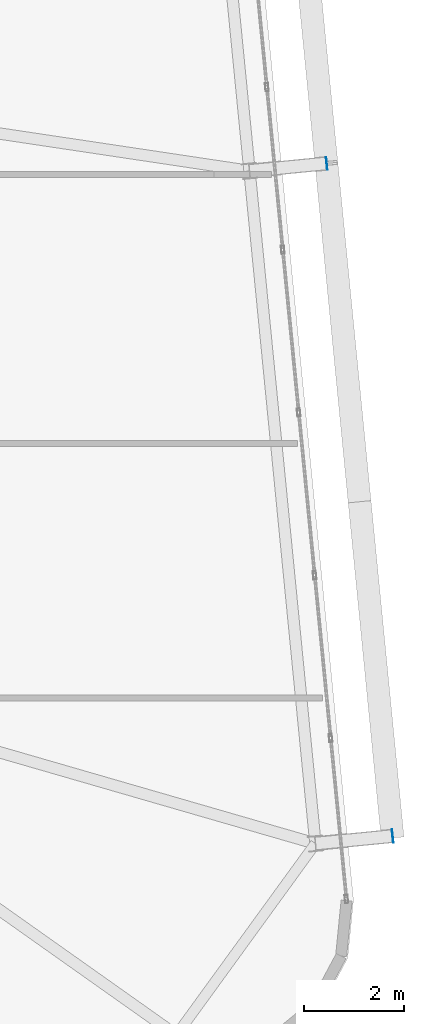
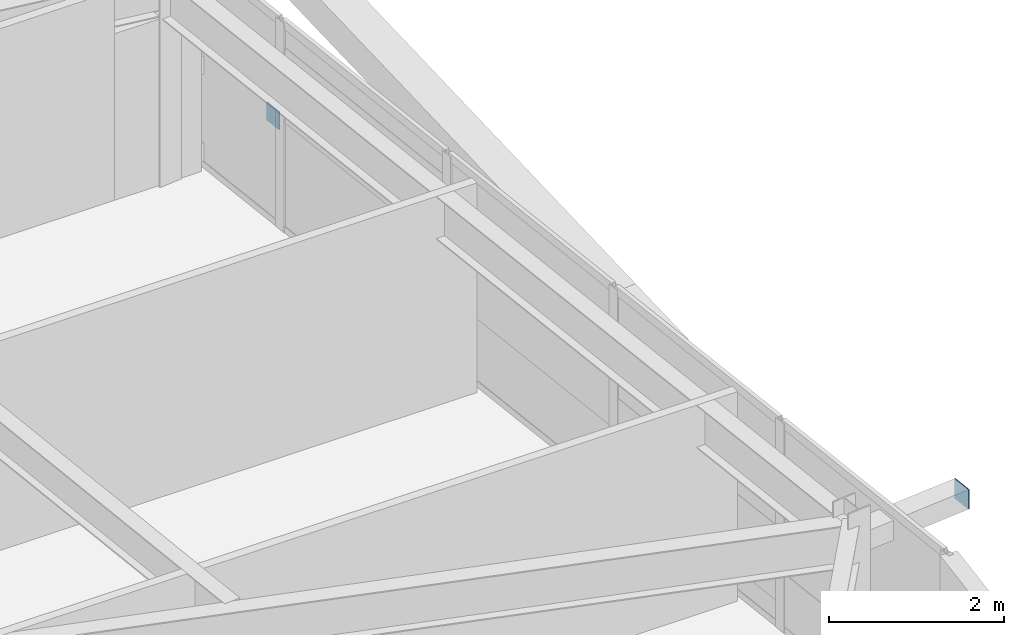
# One storey, part 42 of 53: 2 plates.
"""IFC4 building model written with IfcOpenShell, lengths in metres."""

import ifcopenshell
import ifcopenshell.guid

model = None  # the IFC model being written
_history = None  # IfcOwnerHistory: only IFC2X3 demands one
_inside = {}  # id of a spatial element -> (the spatial element, [elements in it])
_under = {}  # id of a project, library or spatial element -> (it, [spatial elements below it])
_declared = {}  # id of a project -> (the project, [libraries it declares])
_typed = {}  # id of a type object -> (the type object, [elements of that type])
_made_of = {}  # id of a material, layer set ... -> (it, [elements and type objects made of it])


def new_model(schema):
    """Start an empty IFC model of exactly this schema.

    Asked for "IFC4X3", IfcOpenShell would pick the latest addendum, in which some entities
    have other attributes; the version numbers below select the first issue.
    IFC2X3 requires an IfcOwnerHistory on every rooted entity: one is made here for all.
    """
    global model, _history
    if schema == "IFC4X3":
        model = ifcopenshell.file(schema_version=(4, 3, 0, 0))
    else:
        model = ifcopenshell.file(schema=schema)
    _inside.clear()
    _under.clear()
    _declared.clear()
    _typed.clear()
    _made_of.clear()
    _history = None
    if model.schema == "IFC2X3":
        org = make("IfcOrganization", Name="unknown")
        user = make(
            "IfcPersonAndOrganization",
            ThePerson=make("IfcPerson", FamilyName="unknown"),
            TheOrganization=org,
        )
        app = make(
            "IfcApplication",
            ApplicationDeveloper=org,
            Version="unknown",
            ApplicationFullName="unknown",
            ApplicationIdentifier="unknown",
        )
        _history = make(
            "IfcOwnerHistory",
            OwningUser=user,
            OwningApplication=app,
            ChangeAction="ADDED",
            CreationDate=0,
        )
    return model


def make(cls, **values):
    """One entity of the class cls with the attributes given. An attribute that is None is left unset."""
    return model.create_entity(
        cls, **{name: value for name, value in values.items() if value is not None}
    )


def rooted(cls, **values):
    """An entity with a GlobalId (a new one), such as an element, a storey or a relation."""
    return make(cls, GlobalId=ifcopenshell.guid.new(), OwnerHistory=_history, **values)


def si_unit(unit_type, name, prefix=None):
    """IfcSIUnit, for example si_unit("LENGTHUNIT", "METRE", prefix="MILLI")."""
    return make("IfcSIUnit", UnitType=unit_type, Prefix=prefix, Name=name)


def assignment(units):
    """IfcUnitAssignment: the units of a project."""
    return None if units is None else make("IfcUnitAssignment", Units=units)


def point(xyz):
    """IfcCartesianPoint."""
    return None if xyz is None else make("IfcCartesianPoint", Coordinates=xyz)


def direction(xyz):
    """IfcDirection."""
    return None if xyz is None else make("IfcDirection", DirectionRatios=xyz)


def frame(location, z_axis=None, x_axis=None):
    """IfcAxis2Placement3D, a coordinate frame: its origin and axes. An axis left out is left unset."""
    return make(
        "IfcAxis2Placement3D",
        Location=point(location),
        Axis=direction(z_axis),
        RefDirection=direction(x_axis),
    )


def frame_2d(location, x_axis=None):
    """IfcAxis2Placement2D, a coordinate frame in the plane: its origin and x axis."""
    return make(
        "IfcAxis2Placement2D", Location=point(location), RefDirection=direction(x_axis)
    )


def origin():
    """The frame at (0, 0, 0) with its axes left unset."""
    return frame((0.0, 0.0, 0.0))


def origin_2d():
    """The frame at (0, 0) in the plane with its x axis left unset."""
    return frame_2d((0.0, 0.0))


def place(relative_to, where):
    """IfcLocalPlacement: puts the frame where relative to a parent placement (None: the world)."""
    return make(
        "IfcLocalPlacement", PlacementRelTo=relative_to, RelativePlacement=where
    )


def context(
    kind, dimensions, precision=None, world=None, true_north=None, identifier=None
):
    """IfcGeometricRepresentationContext, for example the 3D "Model" context."""
    return make(
        "IfcGeometricRepresentationContext",
        ContextIdentifier=identifier,
        ContextType=kind,
        CoordinateSpaceDimension=dimensions,
        Precision=precision,
        WorldCoordinateSystem=world,
        TrueNorth=true_north,
    )


def subcontext(parent, identifier, kind, view, scale=None):
    """IfcGeometricRepresentationSubContext, for example "Body" below "Model"."""
    return make(
        "IfcGeometricRepresentationSubContext",
        ContextIdentifier=identifier,
        ContextType=kind,
        ParentContext=parent,
        TargetScale=scale,
        TargetView=view,
    )


def project(units=None, contexts=None):
    """IfcProject with its units and contexts."""
    return rooted(
        "IfcProject",
        Name="project",
        RepresentationContexts=contexts,
        UnitsInContext=assignment(units),
    )


def spatial(cls, under=None, at=None, **own):
    """A site, building, storey or space (cls), placed at a placement, below another one or the project."""
    s = rooted(cls, ObjectPlacement=at, **own)
    if under is not None:
        _under.setdefault(under.id(), (under, []))[1].append(s)
    return s


def profile(cls, at=None, kind="AREA", **sizes):
    """A parametric profile (cls). Its sizes go by their IFC names, for example OverallWidth=200.0."""
    return make(cls, ProfileType=kind, Position=at, **sizes)


def rectangle(**sizes):
    """IfcRectangleProfileDef."""
    return profile("IfcRectangleProfileDef", **sizes)


def extrude(swept, where, along, depth):
    """IfcExtrudedAreaSolid: the profile swept, set in the frame where, extruded along a direction by depth."""
    return make(
        "IfcExtrudedAreaSolid",
        SweptArea=swept,
        Position=where,
        ExtrudedDirection=direction(along),
        Depth=depth,
    )


def shape(context_of_items, identifier, shape_type, items):
    """IfcShapeRepresentation: the items that make up one representation, for example the "Body"."""
    return make(
        "IfcShapeRepresentation",
        ContextOfItems=context_of_items,
        RepresentationIdentifier=identifier,
        RepresentationType=shape_type,
        Items=items,
    )


def source(mapping_origin, context_of_items, identifier, shape_type, items):
    """IfcRepresentationMap: a shape defined once, which mapped items show again and again."""
    return make(
        "IfcRepresentationMap",
        MappingOrigin=mapping_origin,
        MappedRepresentation=shape(context_of_items, identifier, shape_type, items),
    )


def transform(
    local_origin,
    x_axis=None,
    y_axis=None,
    z_axis=None,
    scale=None,
    scale2=None,
    scale3=None,
    uniform=True,
):
    """IfcCartesianTransformationOperator3D, or its non-uniform kind. x_axis, y_axis, z_axis: its Axis1, 2, 3."""
    if uniform:
        return make(
            "IfcCartesianTransformationOperator3D",
            Axis1=direction(x_axis),
            Axis2=direction(y_axis),
            LocalOrigin=point(local_origin),
            Scale=scale,
            Axis3=direction(z_axis),
        )
    return make(
        "IfcCartesianTransformationOperator3DnonUniform",
        Axis1=direction(x_axis),
        Axis2=direction(y_axis),
        LocalOrigin=point(local_origin),
        Scale=scale,
        Axis3=direction(z_axis),
        Scale2=scale2,
        Scale3=scale3,
    )


def mapped(mapping_source, mapping_target):
    """IfcMappedItem: shows the shape of a source again, moved by a transform."""
    return make(
        "IfcMappedItem", MappingSource=mapping_source, MappingTarget=mapping_target
    )


def material(Name=None, Category=None):
    """IfcMaterial."""
    return make("IfcMaterial", Name=Name, Category=Category)


def layer(
    of_material, thickness, ventilated=None, Name=None, Category=None, Priority=None
):
    """IfcMaterialLayer: one layer of a wall or slab, of a material (None: an air gap)."""
    return make(
        "IfcMaterialLayer",
        Material=of_material,
        LayerThickness=thickness,
        IsVentilated=ventilated,
        Name=Name,
        Category=Category,
        Priority=Priority,
    )


def layer_set(layers, Name=None):
    """IfcMaterialLayerSet."""
    return make("IfcMaterialLayerSet", MaterialLayers=layers, LayerSetName=Name)


def made_of(thing, what):
    """Note that an element or type object is made of a material, layer set ...; save() writes the relation."""
    if what is not None:
        _made_of.setdefault(what.id(), (what, []))[1].append(thing)
    return thing


def type_object(cls, material=None, **own):
    """A type object (cls), such as IfcWallType, which elements share."""
    return made_of(rooted(cls, **own), material)


def element(
    cls,
    number,
    at=None,
    inside=None,
    cuts=None,
    type_object=None,
    material=None,
    context=None,
    identifier="Body",
    shape_type=None,
    held_by="IfcProductDefinitionShape",
    body=None,
    shapes=None,
    **own,
):
    """One element of the class cls, such as IfcWall. Its Tag is "e" and its number.

    at: its placement. inside: the storey or other place that contains it. cuts: it is an
    opening in that element (IfcRelVoidsElement). A single representation is given by context,
    identifier, shape_type and body (its items); several are given by shapes. held_by: the class
    of the entity that holds the representations. save() writes the other relations.
    """
    e = rooted(cls, Tag="e%d" % number, ObjectPlacement=at, **own)
    if body is not None:
        shapes = [shape(context, identifier, shape_type, body)]
    if shapes is not None:
        e.Representation = make(held_by, Representations=shapes)
    if inside is not None:
        _inside.setdefault(inside.id(), (inside, []))[1].append(e)
    if cuts is not None:
        rooted(
            "IfcRelVoidsElement", RelatingBuildingElement=cuts, RelatedOpeningElement=e
        )
    if type_object is not None:
        _typed.setdefault(type_object.id(), (type_object, []))[1].append(e)
    return made_of(e, material)


def aggregate(whole, parts):
    """IfcRelAggregates: a whole, such as a stair, and the parts it consists of."""
    return rooted("IfcRelAggregates", RelatingObject=whole, RelatedObjects=parts)


def save(model, path):
    """Write the relations noted so far, then the file.

    IfcRelAggregates (storeys below a building ...), IfcRelContainedInSpatialStructure (elements
    in a storey), IfcRelDefinesByType, IfcRelAssociatesMaterial and IfcRelDeclares: one each for
    every whole, place, type object, material and project.
    """
    for whole, parts in _under.values():
        aggregate(whole, parts)
    for where, things in _inside.values():
        rooted(
            "IfcRelContainedInSpatialStructure",
            RelatedElements=things,
            RelatingStructure=where,
        )
    for kind, things in _typed.values():
        rooted("IfcRelDefinesByType", RelatedObjects=things, RelatingType=kind)
    for what, things in _made_of.values():
        rooted("IfcRelAssociatesMaterial", RelatedObjects=things, RelatingMaterial=what)
    for by, libraries in _declared.values():
        rooted("IfcRelDeclares", RelatingContext=by, RelatedDefinitions=libraries)
    model.write(path)


model = new_model("IFC4")

# Units and contexts
model_context = context("Model", 3, precision=1e-05, world=origin(), true_north=direction((0.0, 1.0)))
body_context = subcontext(model_context, "Body", "Model", "MODEL_VIEW")
ifc_project = project(units=[si_unit("LENGTHUNIT", "METRE"), si_unit("AREAUNIT", "SQUARE_METRE"), si_unit("VOLUMEUNIT", "CUBIC_METRE"), si_unit("PLANEANGLEUNIT", "RADIAN"), si_unit("MASSUNIT", "GRAM", prefix="KILO")], contexts=[model_context])

# Site, building, storey
site_placement = place(None, origin())
site = spatial("IfcSite", under=ifc_project, at=site_placement, CompositionType="ELEMENT")
building_placement = place(site_placement, origin())
building = spatial("IfcBuilding", under=site, at=building_placement, Name="Taldren Reach Tower", CompositionType="ELEMENT")
storey_placement = place(building_placement, frame((0.0, 0.0, 68.25)))
storey = spatial("IfcBuildingStorey", under=building, at=storey_placement, Name="L20", CompositionType="ELEMENT", Elevation=68.25)

# Plates
ifc_material_1 = material(Name="Steel Gr 450 (C450L0)", Category="steel")
ifc_layer_1 = layer(ifc_material_1, 0.011962890625)
ifc_layer_set_1 = layer_set([ifc_layer_1], Name="Steel Gr 450 (C450L0)")
plate_type_1 = type_object("IfcPlateType", Name="PL-CAP-275", PredefinedType="SHEET", material=ifc_layer_set_1)
shared_shape_1 = source(origin(), body_context, "Body", "SweptSolid", [
    extrude(rectangle(XDim=0.011962890625, YDim=0.27490234375, at=origin_2d()), origin(), (0.0, 0.0, 1.0), 0.27490234375),
])
plate_1_placement = place(storey_placement, frame((67.440185546875, 8.635498046875, 2.512451171875), z_axis=(0.0, 0.0, 1.0), x_axis=(0.995227399982, 0.097582899759, 0.0)))
element("IfcPlate", 1, at=plate_1_placement, inside=storey, type_object=plate_type_1, Name="Tie strut end cap plate B2-E1 L20", PredefinedType="SHEET", context=body_context, shape_type="MappedRepresentation", body=[
    mapped(shared_shape_1, transform((0.0, 0.0, 0.0), scale=1.0)),
])
ifc_material_2 = material(Name="Steel Gr 350 (C350L0)", Category="steel")
ifc_layer_2 = layer(ifc_material_2, 0.011962890625)
ifc_layer_set_2 = layer_set([ifc_layer_2], Name="Steel Gr 350 (C350L0)")
plate_type_2 = type_object("IfcPlateType", Name="PL-CAP-250", PredefinedType="SHEET", material=ifc_layer_set_2)
shared_shape_2 = source(origin(), body_context, "Body", "SweptSolid", [
    extrude(rectangle(XDim=0.011962890625, YDim=0.25, at=origin_2d()), origin(), (0.0, 0.0, 1.0), 0.25),
])
plate_2_placement = place(storey_placement, frame((66.1181640625, 22.120849609375, 0.094970703125), z_axis=(0.0, 0.0, 1.0), x_axis=(0.995227399982, 0.097582899759, 0.0)))
element("IfcPlate", 2, at=plate_2_placement, inside=storey, type_object=plate_type_2, Name="Tie strut end cap plate B2-E2 L20", PredefinedType="SHEET", context=body_context, shape_type="MappedRepresentation", body=[
    mapped(shared_shape_2, transform((0.0, 0.0, 0.0), scale=1.0)),
])

save(model, "model.ifc")
